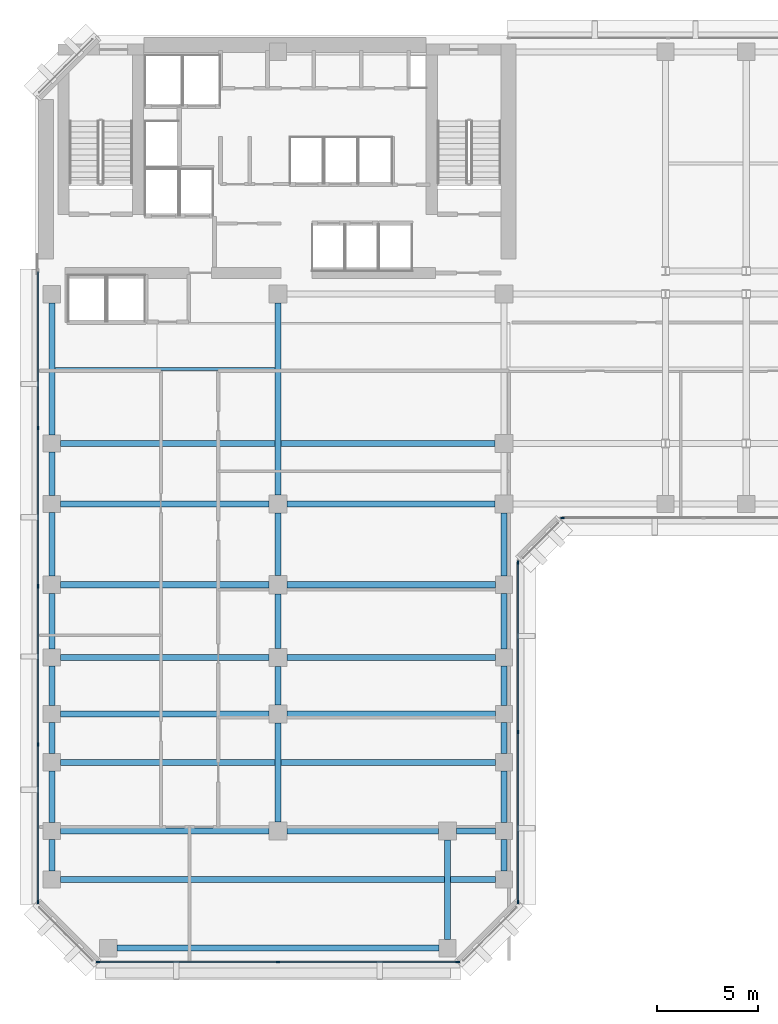
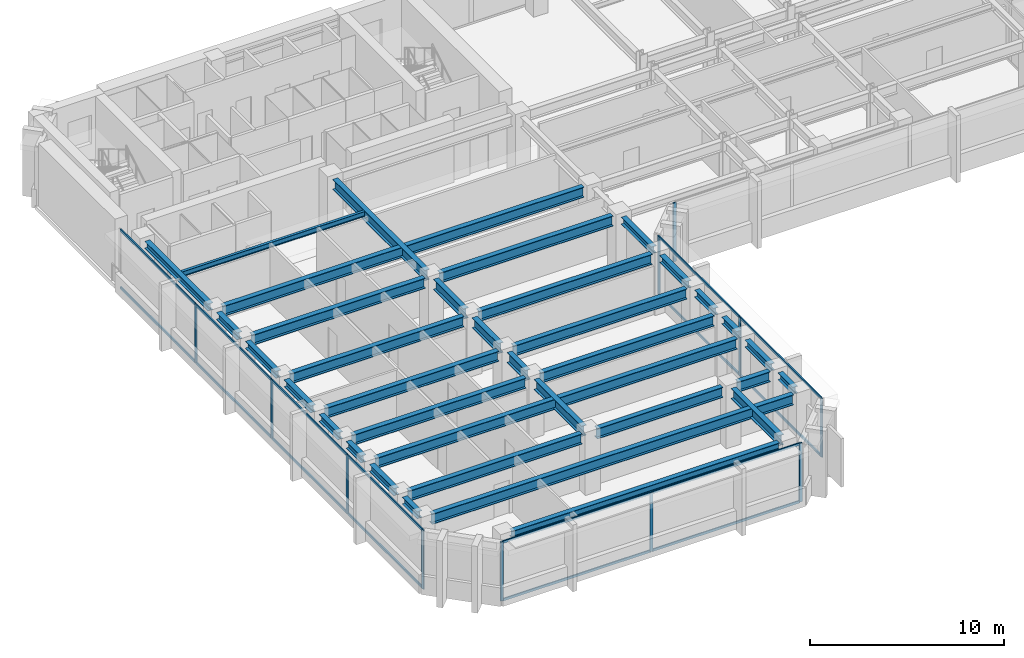
# One storey, part 2 of 11: 36 beams, 27 members, 4 elements without a shape of their own.
"""IFC4 building model written with IfcOpenShell, lengths in metres."""

from ifc_helpers import new_model, si_unit, direction, frame, origin, origin_2d, place, context, subcontext, project, spatial, rectangle, i_section, extrude, material, layer, layer_set, material_profile, profile_set, type_object, element, aggregate, save


model = new_model("IFC4")

# Units and contexts
model_context = context("Model", 3, precision=1e-05, world=origin(), true_north=direction((0.0, 1.0)))
body_context = subcontext(model_context, "Body", "Model", "MODEL_VIEW")
ifc_project = project(units=[si_unit("LENGTHUNIT", "METRE"), si_unit("AREAUNIT", "SQUARE_METRE"), si_unit("VOLUMEUNIT", "CUBIC_METRE"), si_unit("PLANEANGLEUNIT", "RADIAN"), si_unit("MASSUNIT", "GRAM", prefix="KILO")], contexts=[model_context])

# Site, building, storey
site_placement = place(None, origin())
site = spatial("IfcSite", under=ifc_project, at=site_placement, CompositionType="ELEMENT")
building_placement = place(site_placement, origin())
building = spatial("IfcBuilding", under=site, at=building_placement, Name="Kefirva Bronze Tower", CompositionType="ELEMENT")
storey_placement = place(building_placement, frame((0.0, 0.0, 150.81005859375)))
storey = spatial("IfcBuildingStorey", under=building, at=storey_placement, Name="L36", CompositionType="ELEMENT", Elevation=150.81005859375)

# Curtain wall, members
ifc_material_1 = material(Name="Bronze anodised aluminium", Category="aluminium")
ifc_layer = layer(ifc_material_1, 0.199951171875, Name="Bronze anodised aluminium")
ifc_layer_set = layer_set([ifc_layer], Name="Bronze anodised aluminium")
curtain_wall_type = type_object("IfcCurtainWallType", Name="Unitised Bronze Ribbon Curtain Wall Zone 2", PredefinedType="USERDEFINED", material=ifc_layer_set)
curtain_wall_1_placement = place(storey_placement, origin())
curtain_wall_1 = element("IfcCurtainWall", 1, at=curtain_wall_1_placement, inside=storey, type_object=curtain_wall_type, Name="L36 Curtain Wall 1", ObjectType="UNITISED CURTAIN WALL", PredefinedType="USERDEFINED")
ifc_material_profile_1 = material_profile(ifc_material_1, rectangle(XDim=0.074951171875, YDim=0.179931640625, at=origin_2d()), Name="ALU 75x180")
ifc_profile_set_1 = profile_set([ifc_material_profile_1], Name="Bronze anodised aluminium")
member_type_1 = type_object("IfcMemberType", Name="Bronze Mullion 75x180", PredefinedType="MULLION", material=ifc_profile_set_1)
member_1_placement = place(storey_placement, frame((3.092529296875, 0.1201171875, 0.0), z_axis=(0.0, 0.0, 1.0), x_axis=(0.0, 1.0, 0.0)))
member_1 = element("IfcMember", 2, at=member_1_placement, type_object=member_type_1, Name="CW-02 mullion 1", PredefinedType="MULLION", context=body_context, shape_type="SweptSolid", body=[
    extrude(rectangle(XDim=0.074951171875, YDim=0.179931640625, at=origin_2d()), origin(), (0.0, 0.0, 1.0), 3.7099609375),
])
member_2_placement = place(storey_placement, frame((12.0, 0.1201171875, 0.0), z_axis=(0.0, 0.0, 1.0), x_axis=(0.0, 1.0, 0.0)))
member_2 = element("IfcMember", 3, at=member_2_placement, type_object=member_type_1, Name="CW-02 mullion 2", PredefinedType="MULLION", context=body_context, shape_type="SweptSolid", body=[
    extrude(rectangle(XDim=0.074951171875, YDim=0.179931640625, at=origin_2d()), origin(), (0.0, 0.0, 1.0), 3.7099609375),
])
member_3_placement = place(storey_placement, frame((20.907470703125, 0.1201171875, 0.0), z_axis=(0.0, 0.0, 1.0), x_axis=(0.0, 1.0, 0.0)))
member_3 = element("IfcMember", 4, at=member_3_placement, type_object=member_type_1, Name="CW-02 mullion 3", PredefinedType="MULLION", context=body_context, shape_type="SweptSolid", body=[
    extrude(rectangle(XDim=0.074951171875, YDim=0.179931640625, at=origin_2d()), origin(), (0.0, 0.0, 1.0), 3.7099609375),
])

curtain_wall_2_placement = place(storey_placement, origin())
curtain_wall_2 = element("IfcCurtainWall", 5, at=curtain_wall_2_placement, inside=storey, type_object=curtain_wall_type, Name="L36 Curtain Wall 2", ObjectType="UNITISED CURTAIN WALL", PredefinedType="USERDEFINED")
member_4_placement = place(storey_placement, frame((23.8798828125, 3.092529296875, 0.0), z_axis=(0.0, 0.0, 1.0), x_axis=(-1.0, 0.0, 0.0)))
member_4 = element("IfcMember", 6, at=member_4_placement, type_object=member_type_1, Name="CW-02 mullion 1", PredefinedType="MULLION", context=body_context, shape_type="SweptSolid", body=[
    extrude(rectangle(XDim=0.074951171875, YDim=0.179931640625, at=origin_2d()), origin(), (0.0, 0.0, 1.0), 3.7099609375),
])
member_5_placement = place(storey_placement, frame((23.8798828125, 11.5, 0.0), z_axis=(0.0, 0.0, 1.0), x_axis=(-1.0, 0.0, 0.0)))
member_5 = element("IfcMember", 7, at=member_5_placement, type_object=member_type_1, Name="CW-02 mullion 2", PredefinedType="MULLION", context=body_context, shape_type="SweptSolid", body=[
    extrude(rectangle(XDim=0.074951171875, YDim=0.179931640625, at=origin_2d()), origin(), (0.0, 0.0, 1.0), 3.7099609375),
])
member_6_placement = place(storey_placement, frame((23.8798828125, 19.907470703125, 0.0), z_axis=(0.0, 0.0, 1.0), x_axis=(-1.0, 0.0, 0.0)))
member_6 = element("IfcMember", 8, at=member_6_placement, type_object=member_type_1, Name="CW-02 mullion 3", PredefinedType="MULLION", context=body_context, shape_type="SweptSolid", body=[
    extrude(rectangle(XDim=0.074951171875, YDim=0.179931640625, at=origin_2d()), origin(), (0.0, 0.0, 1.0), 3.7099609375),
])

# Curtain wall, member
curtain_wall_3_placement = place(storey_placement, origin())
curtain_wall_3 = element("IfcCurtainWall", 9, at=curtain_wall_3_placement, inside=storey, type_object=curtain_wall_type, Name="L36 Curtain Wall 3", ObjectType="UNITISED CURTAIN WALL", PredefinedType="USERDEFINED")
member_7_placement = place(storey_placement, frame((26.092529296875, 22.1201171875, 0.0), z_axis=(0.0, 0.0, 1.0), x_axis=(0.0, 1.0, 0.0)))
member_7 = element("IfcMember", 10, at=member_7_placement, type_object=member_type_1, Name="CW-02 mullion 1", PredefinedType="MULLION", context=body_context, shape_type="SweptSolid", body=[
    extrude(rectangle(XDim=0.074951171875, YDim=0.179931640625, at=origin_2d()), origin(), (0.0, 0.0, 1.0), 3.7099609375),
])
aggregate(curtain_wall_3, [member_7])

# Curtain wall, members
curtain_wall_4_placement = place(storey_placement, origin())
curtain_wall_4 = element("IfcCurtainWall", 11, at=curtain_wall_4_placement, inside=storey, type_object=curtain_wall_type, Name="L36 Curtain Wall 6", ObjectType="UNITISED CURTAIN WALL", PredefinedType="USERDEFINED")
member_8_placement = place(storey_placement, frame((0.1201171875, 26.56005859375, 0.0), z_axis=(0.0, 0.0, 1.0), x_axis=(1.0, 0.0, 0.0)))
member_8 = element("IfcMember", 12, at=member_8_placement, type_object=member_type_1, Name="CW-02 mullion 2", PredefinedType="MULLION", context=body_context, shape_type="SweptSolid", body=[
    extrude(rectangle(XDim=0.074951171875, YDim=0.179931640625, at=origin_2d()), origin(), (0.0, 0.0, 1.0), 3.7099609375),
])
member_9_placement = place(storey_placement, frame((0.1201171875, 18.72509765625, 0.0), z_axis=(0.0, 0.0, 1.0), x_axis=(1.0, 0.0, 0.0)))
member_9 = element("IfcMember", 13, at=member_9_placement, type_object=member_type_1, Name="CW-02 mullion 3", PredefinedType="MULLION", context=body_context, shape_type="SweptSolid", body=[
    extrude(rectangle(XDim=0.074951171875, YDim=0.179931640625, at=origin_2d()), origin(), (0.0, 0.0, 1.0), 3.7099609375),
])
member_10_placement = place(storey_placement, frame((0.1201171875, 10.889892578125, 0.0), z_axis=(0.0, 0.0, 1.0), x_axis=(1.0, 0.0, 0.0)))
member_10 = element("IfcMember", 14, at=member_10_placement, type_object=member_type_1, Name="CW-02 mullion 4", PredefinedType="MULLION", context=body_context, shape_type="SweptSolid", body=[
    extrude(rectangle(XDim=0.074951171875, YDim=0.179931640625, at=origin_2d()), origin(), (0.0, 0.0, 1.0), 3.7099609375),
])
member_11_placement = place(storey_placement, frame((0.1201171875, 3.092529296875, 0.0), z_axis=(0.0, 0.0, 1.0), x_axis=(1.0, 0.0, 0.0)))
member_11 = element("IfcMember", 15, at=member_11_placement, type_object=member_type_1, Name="CW-02 mullion 5", PredefinedType="MULLION", context=body_context, shape_type="SweptSolid", body=[
    extrude(rectangle(XDim=0.074951171875, YDim=0.179931640625, at=origin_2d()), origin(), (0.0, 0.0, 1.0), 3.7099609375),
])

# Member
ifc_material_profile_2 = material_profile(ifc_material_1, rectangle(XDim=0.074951171875, YDim=0.14990234375, at=origin_2d()), Name="ALU 75x150")
ifc_profile_set_2 = profile_set([ifc_material_profile_2], Name="Bronze anodised aluminium")
member_type_2 = type_object("IfcMemberType", Name="Bronze Transom 75x150", PredefinedType="USERDEFINED", material=ifc_profile_set_2)
member_12_placement = place(storey_placement, frame((3.1298828125, 0.1201171875, 0.037353515625), z_axis=(1.0, 0.0, 0.0), x_axis=(0.0, 1.0, 0.0)))
member_12 = element("IfcMember", 16, at=member_12_placement, type_object=member_type_2, Name="CW-02 transom 1.1", ObjectType="TRANSOM", PredefinedType="USERDEFINED", context=body_context, shape_type="SweptSolid", body=[
    extrude(rectangle(XDim=0.074951171875, YDim=0.14990234375, at=origin_2d()), origin(), (0.0, 0.0, 1.0), 8.83251953125),
])

member_13_placement = place(storey_placement, frame((3.1298828125, 0.1201171875, 3.67236328125), z_axis=(1.0, 0.0, 0.0), x_axis=(0.0, 1.0, 0.0)))
member_13 = element("IfcMember", 17, at=member_13_placement, type_object=member_type_2, Name="CW-02 transom 1.2", ObjectType="TRANSOM", PredefinedType="USERDEFINED", context=body_context, shape_type="SweptSolid", body=[
    extrude(rectangle(XDim=0.074951171875, YDim=0.14990234375, at=origin_2d()), origin(), (0.0, 0.0, 1.0), 8.83251953125),
])

member_14_placement = place(storey_placement, frame((12.03759765625, 0.1201171875, 0.037353515625), z_axis=(1.0, 0.0, 0.0), x_axis=(0.0, 1.0, 0.0)))
member_14 = element("IfcMember", 18, at=member_14_placement, type_object=member_type_2, Name="CW-02 transom 2.1", ObjectType="TRANSOM", PredefinedType="USERDEFINED", context=body_context, shape_type="SweptSolid", body=[
    extrude(rectangle(XDim=0.074951171875, YDim=0.14990234375, at=origin_2d()), origin(), (0.0, 0.0, 1.0), 8.83251953125),
])

member_15_placement = place(storey_placement, frame((12.03759765625, 0.1201171875, 3.67236328125), z_axis=(1.0, 0.0, 0.0), x_axis=(0.0, 1.0, 0.0)))
member_15 = element("IfcMember", 19, at=member_15_placement, type_object=member_type_2, Name="CW-02 transom 2.2", ObjectType="TRANSOM", PredefinedType="USERDEFINED", context=body_context, shape_type="SweptSolid", body=[
    extrude(rectangle(XDim=0.074951171875, YDim=0.14990234375, at=origin_2d()), origin(), (0.0, 0.0, 1.0), 8.83251953125),
])

aggregate(curtain_wall_1, [member_1, member_2, member_3, member_12, member_13, member_14, member_15])

member_16_placement = place(storey_placement, frame((23.8798828125, 3.1298828125, 0.037353515625), z_axis=(0.0, 1.0, 0.0), x_axis=(-1.0, 0.0, 0.0)))
member_16 = element("IfcMember", 20, at=member_16_placement, type_object=member_type_2, Name="CW-02 transom 1.1", ObjectType="TRANSOM", PredefinedType="USERDEFINED", context=body_context, shape_type="SweptSolid", body=[
    extrude(rectangle(XDim=0.074951171875, YDim=0.14990234375, at=origin_2d()), origin(), (0.0, 0.0, 1.0), 8.33251953125),
])

member_17_placement = place(storey_placement, frame((23.8798828125, 3.1298828125, 3.67236328125), z_axis=(0.0, 1.0, 0.0), x_axis=(-1.0, 0.0, 0.0)))
member_17 = element("IfcMember", 21, at=member_17_placement, type_object=member_type_2, Name="CW-02 transom 1.2", ObjectType="TRANSOM", PredefinedType="USERDEFINED", context=body_context, shape_type="SweptSolid", body=[
    extrude(rectangle(XDim=0.074951171875, YDim=0.14990234375, at=origin_2d()), origin(), (0.0, 0.0, 1.0), 8.33251953125),
])

member_18_placement = place(storey_placement, frame((23.8798828125, 11.53759765625, 0.037353515625), z_axis=(0.0, 1.0, 0.0), x_axis=(-1.0, 0.0, 0.0)))
member_18 = element("IfcMember", 22, at=member_18_placement, type_object=member_type_2, Name="CW-02 transom 2.1", ObjectType="TRANSOM", PredefinedType="USERDEFINED", context=body_context, shape_type="SweptSolid", body=[
    extrude(rectangle(XDim=0.074951171875, YDim=0.14990234375, at=origin_2d()), origin(), (0.0, 0.0, 1.0), 8.33251953125),
])

member_19_placement = place(storey_placement, frame((23.8798828125, 11.53759765625, 3.67236328125), z_axis=(0.0, 1.0, 0.0), x_axis=(-1.0, 0.0, 0.0)))
member_19 = element("IfcMember", 23, at=member_19_placement, type_object=member_type_2, Name="CW-02 transom 2.2", ObjectType="TRANSOM", PredefinedType="USERDEFINED", context=body_context, shape_type="SweptSolid", body=[
    extrude(rectangle(XDim=0.074951171875, YDim=0.14990234375, at=origin_2d()), origin(), (0.0, 0.0, 1.0), 8.33251953125),
])

aggregate(curtain_wall_2, [member_4, member_5, member_6, member_16, member_17, member_18, member_19])

member_20_placement = place(storey_placement, frame((0.1201171875, 34.320068359375, 0.037353515625), z_axis=(0.0, -1.0, 0.0), x_axis=(1.0, 0.0, 0.0)))
member_20 = element("IfcMember", 24, at=member_20_placement, type_object=member_type_2, Name="CW-02 transom 1.1", ObjectType="TRANSOM", PredefinedType="USERDEFINED", context=body_context, shape_type="SweptSolid", body=[
    extrude(rectangle(XDim=0.074951171875, YDim=0.14990234375, at=origin_2d()), origin(), (0.0, 0.0, 1.0), 7.72265625),
])

member_21_placement = place(storey_placement, frame((0.1201171875, 34.320068359375, 3.67236328125), z_axis=(0.0, -1.0, 0.0), x_axis=(1.0, 0.0, 0.0)))
member_21 = element("IfcMember", 25, at=member_21_placement, type_object=member_type_2, Name="CW-02 transom 1.2", ObjectType="TRANSOM", PredefinedType="USERDEFINED", context=body_context, shape_type="SweptSolid", body=[
    extrude(rectangle(XDim=0.074951171875, YDim=0.14990234375, at=origin_2d()), origin(), (0.0, 0.0, 1.0), 7.72265625),
])

member_22_placement = place(storey_placement, frame((0.1201171875, 26.5224609375, 0.037353515625), z_axis=(0.0, -1.0, 0.0), x_axis=(1.0, 0.0, 0.0)))
member_22 = element("IfcMember", 26, at=member_22_placement, type_object=member_type_2, Name="CW-02 transom 2.1", ObjectType="TRANSOM", PredefinedType="USERDEFINED", context=body_context, shape_type="SweptSolid", body=[
    extrude(rectangle(XDim=0.074951171875, YDim=0.14990234375, at=origin_2d()), origin(), (0.0, 0.0, 1.0), 7.760009765625),
])

member_23_placement = place(storey_placement, frame((0.1201171875, 26.5224609375, 3.67236328125), z_axis=(0.0, -1.0, 0.0), x_axis=(1.0, 0.0, 0.0)))
member_23 = element("IfcMember", 27, at=member_23_placement, type_object=member_type_2, Name="CW-02 transom 2.2", ObjectType="TRANSOM", PredefinedType="USERDEFINED", context=body_context, shape_type="SweptSolid", body=[
    extrude(rectangle(XDim=0.074951171875, YDim=0.14990234375, at=origin_2d()), origin(), (0.0, 0.0, 1.0), 7.760009765625),
])

member_24_placement = place(storey_placement, frame((0.1201171875, 18.6875, 0.037353515625), z_axis=(0.0, -1.0, 0.0), x_axis=(1.0, 0.0, 0.0)))
member_24 = element("IfcMember", 28, at=member_24_placement, type_object=member_type_2, Name="CW-02 transom 3.1", ObjectType="TRANSOM", PredefinedType="USERDEFINED", context=body_context, shape_type="SweptSolid", body=[
    extrude(rectangle(XDim=0.074951171875, YDim=0.14990234375, at=origin_2d()), origin(), (0.0, 0.0, 1.0), 7.760009765625),
])

member_25_placement = place(storey_placement, frame((0.1201171875, 18.6875, 3.67236328125), z_axis=(0.0, -1.0, 0.0), x_axis=(1.0, 0.0, 0.0)))
member_25 = element("IfcMember", 29, at=member_25_placement, type_object=member_type_2, Name="CW-02 transom 3.2", ObjectType="TRANSOM", PredefinedType="USERDEFINED", context=body_context, shape_type="SweptSolid", body=[
    extrude(rectangle(XDim=0.074951171875, YDim=0.14990234375, at=origin_2d()), origin(), (0.0, 0.0, 1.0), 7.760009765625),
])

member_26_placement = place(storey_placement, frame((0.1201171875, 10.8525390625, 0.037353515625), z_axis=(0.0, -1.0, 0.0), x_axis=(1.0, 0.0, 0.0)))
member_26 = element("IfcMember", 30, at=member_26_placement, type_object=member_type_2, Name="CW-02 transom 4.1", ObjectType="TRANSOM", PredefinedType="USERDEFINED", context=body_context, shape_type="SweptSolid", body=[
    extrude(rectangle(XDim=0.074951171875, YDim=0.14990234375, at=origin_2d()), origin(), (0.0, 0.0, 1.0), 7.72265625),
])

member_27_placement = place(storey_placement, frame((0.1201171875, 10.8525390625, 3.67236328125), z_axis=(0.0, -1.0, 0.0), x_axis=(1.0, 0.0, 0.0)))
member_27 = element("IfcMember", 31, at=member_27_placement, type_object=member_type_2, Name="CW-02 transom 4.2", ObjectType="TRANSOM", PredefinedType="USERDEFINED", context=body_context, shape_type="SweptSolid", body=[
    extrude(rectangle(XDim=0.074951171875, YDim=0.14990234375, at=origin_2d()), origin(), (0.0, 0.0, 1.0), 7.72265625),
])

aggregate(curtain_wall_4, [member_8, member_9, member_10, member_11, member_20, member_21, member_22, member_23, member_24, member_25, member_26, member_27])

# Beams
ifc_material_2 = material(Name="Steel S355", Category="steel")
ifc_material_profile_3 = material_profile(ifc_material_2, i_section(OverallWidth=0.159912109375, OverallDepth=0.330078125, WebThickness=0.007568359375, FlangeThickness=0.011474609375, at=origin_2d()), Name="IPE 330")
ifc_profile_set_3 = profile_set([ifc_material_profile_3], Name="Steel S355")
beam_type_1 = type_object("IfcBeamType", Name="Steel Floor Joist IPE 330", PredefinedType="JOIST", material=ifc_profile_set_3)
beam_1_placement = place(storey_placement, frame((0.949951171875, 29.489990234375, 3.544921875), z_axis=(1.0, 0.0, 0.0), x_axis=(0.0, 1.0, 0.0)))
element("IfcBeam", 32, at=beam_1_placement, inside=storey, type_object=beam_type_1, Name="L36 JST-L36-0-294", PredefinedType="JOIST", context=body_context, shape_type="SweptSolid", body=[
    extrude(i_section(OverallWidth=0.159912109375, OverallDepth=0.330078125, WebThickness=0.007568359375, FlangeThickness=0.011474609375, at=origin_2d()), origin(), (0.0, 0.0, 1.0), 10.900146484375),
])
ifc_material_profile_4 = material_profile(ifc_material_2, i_section(OverallWidth=0.300048828125, OverallDepth=0.64990234375, WebThickness=0.01611328125, FlangeThickness=0.031005859375, at=origin_2d()), Name="HEB 650")
ifc_profile_set_4 = profile_set([ifc_material_profile_4], Name="Steel S355")
beam_type_2 = type_object("IfcBeamType", Name="Steel Girder HEB 650", PredefinedType="USERDEFINED", material=ifc_profile_set_4)
beam_2_placement = place(storey_placement, frame((1.22998046875, 4.199951171875, 3.385009765625), z_axis=(1.0, 0.0, 0.0), x_axis=(0.0, 1.0, 0.0)))
element("IfcBeam", 33, at=beam_2_placement, inside=storey, type_object=beam_type_2, Name="L36 BM-L36-EW-0-42", ObjectType="GIRDER", PredefinedType="USERDEFINED", context=body_context, shape_type="SweptSolid", body=[
    extrude(i_section(OverallWidth=0.300048828125, OverallDepth=0.64990234375, WebThickness=0.01611328125, FlangeThickness=0.031005859375, at=origin_2d()), origin(), (0.0, 0.0, 1.0), 21.5400390625),
])
beam_3_placement = place(storey_placement, frame((1.22998046875, 6.60009765625, 3.385009765625), z_axis=(1.0, 0.0, 0.0), x_axis=(0.0, 1.0, 0.0)))
element("IfcBeam", 34, at=beam_3_placement, inside=storey, type_object=beam_type_2, Name="L36 BM-L36-EW-0-66", ObjectType="GIRDER", PredefinedType="USERDEFINED", context=body_context, shape_type="SweptSolid", body=[
    extrude(i_section(OverallWidth=0.300048828125, OverallDepth=0.64990234375, WebThickness=0.01611328125, FlangeThickness=0.031005859375, at=origin_2d()), origin(), (0.0, 0.0, 1.0), 10.320068359375),
])
beam_4_placement = place(storey_placement, frame((12.449951171875, 6.60009765625, 3.385009765625), z_axis=(1.0, 0.0, 0.0), x_axis=(0.0, 1.0, 0.0)))
element("IfcBeam", 35, at=beam_4_placement, inside=storey, type_object=beam_type_2, Name="L36 BM-L36-EW-12-66", ObjectType="GIRDER", PredefinedType="USERDEFINED", context=body_context, shape_type="SweptSolid", body=[
    extrude(i_section(OverallWidth=0.300048828125, OverallDepth=0.64990234375, WebThickness=0.01611328125, FlangeThickness=0.031005859375, at=origin_2d()), origin(), (0.0, 0.0, 1.0), 7.5),
])
beam_5_placement = place(storey_placement, frame((20.85009765625, 6.60009765625, 3.385009765625), z_axis=(1.0, 0.0, 0.0), x_axis=(0.0, 1.0, 0.0)))
element("IfcBeam", 36, at=beam_5_placement, inside=storey, type_object=beam_type_2, Name="L36 BM-L36-EW-20-66", ObjectType="GIRDER", PredefinedType="USERDEFINED", context=body_context, shape_type="SweptSolid", body=[
    extrude(i_section(OverallWidth=0.300048828125, OverallDepth=0.64990234375, WebThickness=0.01611328125, FlangeThickness=0.031005859375, at=origin_2d()), origin(), (0.0, 0.0, 1.0), 1.919921875),
])
beam_6_placement = place(storey_placement, frame((1.22998046875, 10.0, 3.385009765625), z_axis=(1.0, 0.0, 0.0), x_axis=(0.0, 1.0, 0.0)))
element("IfcBeam", 37, at=beam_6_placement, inside=storey, type_object=beam_type_2, Name="L36 BM-L36-EW-0-100", ObjectType="GIRDER", PredefinedType="USERDEFINED", context=body_context, shape_type="SweptSolid", body=[
    extrude(i_section(OverallWidth=0.300048828125, OverallDepth=0.64990234375, WebThickness=0.01611328125, FlangeThickness=0.031005859375, at=origin_2d()), origin(), (0.0, 0.0, 1.0), 21.5400390625),
])
for number, where, z_axis, x_axis, name in (
    (38, (1.22998046875, 12.39990234375, 3.385009765625), (1.0, 0.0, 0.0), (0.0, 1.0, 0.0), "L36 BM-L36-EW-0-124"),
    (39, (12.449951171875, 12.39990234375, 3.385009765625), (1.0, 0.0, 0.0), (0.0, 1.0, 0.0), "L36 BM-L36-EW-12-124"),
    (40, (1.22998046875, 15.199951171875, 3.385009765625), (1.0, 0.0, 0.0), (0.0, 1.0, 0.0), "L36 BM-L36-EW-0-152"),
    (41, (12.449951171875, 15.199951171875, 3.385009765625), (1.0, 0.0, 0.0), (0.0, 1.0, 0.0), "L36 BM-L36-EW-12-152"),
    (42, (1.22998046875, 18.800048828125, 3.385009765625), (1.0, 0.0, 0.0), (0.0, 1.0, 0.0), "L36 BM-L36-EW-0-188"),
    (43, (12.449951171875, 18.800048828125, 3.385009765625), (1.0, 0.0, 0.0), (0.0, 1.0, 0.0), "L36 BM-L36-EW-12-188"),
    (44, (1.22998046875, 22.800048828125, 3.385009765625), (1.0, 0.0, 0.0), (0.0, 1.0, 0.0), "L36 BM-L36-EW-0-228"),
):
    element("IfcBeam", number, at=place(storey_placement, frame(where, z_axis=z_axis, x_axis=x_axis)), inside=storey, type_object=beam_type_2, Name=name, ObjectType="GIRDER", PredefinedType="USERDEFINED", context=body_context, shape_type="SweptSolid", body=[
        extrude(i_section(OverallWidth=0.300048828125, OverallDepth=0.64990234375, WebThickness=0.01611328125, FlangeThickness=0.031005859375, at=origin_2d()), origin(), (0.0, 0.0, 1.0), 10.320068359375),
    ])
beam_7_placement = place(storey_placement, frame((12.449951171875, 22.800048828125, 3.385009765625), z_axis=(1.0, 0.0, 0.0), x_axis=(0.0, 1.0, 0.0)))
element("IfcBeam", 45, at=beam_7_placement, inside=storey, type_object=beam_type_2, Name="L36 BM-L36-EW-12-228", ObjectType="GIRDER", PredefinedType="USERDEFINED", context=body_context, shape_type="SweptSolid", body=[
    extrude(i_section(OverallWidth=0.300048828125, OverallDepth=0.64990234375, WebThickness=0.01611328125, FlangeThickness=0.031005859375, at=origin_2d()), origin(), (0.0, 0.0, 1.0), 10.300048828125),
])
beam_8_placement = place(storey_placement, frame((1.22998046875, 25.800048828125, 3.385009765625), z_axis=(1.0, 0.0, 0.0), x_axis=(0.0, 1.0, 0.0)))
element("IfcBeam", 46, at=beam_8_placement, inside=storey, type_object=beam_type_2, Name="L36 BM-L36-EW-0-258", ObjectType="GIRDER", PredefinedType="USERDEFINED", context=body_context, shape_type="SweptSolid", body=[
    extrude(i_section(OverallWidth=0.300048828125, OverallDepth=0.64990234375, WebThickness=0.01611328125, FlangeThickness=0.031005859375, at=origin_2d()), origin(), (0.0, 0.0, 1.0), 21.52001953125),
])
beam_9_placement = place(storey_placement, frame((12.0, 7.050048828125, 3.385009765625), z_axis=(0.0, 1.0, 0.0), x_axis=(-1.0, 0.0, 0.0)))
element("IfcBeam", 47, at=beam_9_placement, inside=storey, type_object=beam_type_2, Name="L36 BM-L36-NS-120-6", ObjectType="GIRDER", PredefinedType="USERDEFINED", context=body_context, shape_type="SweptSolid", body=[
    extrude(i_section(OverallWidth=0.300048828125, OverallDepth=0.64990234375, WebThickness=0.01611328125, FlangeThickness=0.031005859375, at=origin_2d()), origin(), (0.0, 0.0, 1.0), 4.89990234375),
])
beam_10_placement = place(storey_placement, frame((12.0, 12.85009765625, 3.385009765625), z_axis=(0.0, 1.0, 0.0), x_axis=(-1.0, 0.0, 0.0)))
element("IfcBeam", 48, at=beam_10_placement, inside=storey, type_object=beam_type_2, Name="L36 BM-L36-NS-120-12", ObjectType="GIRDER", PredefinedType="USERDEFINED", context=body_context, shape_type="SweptSolid", body=[
    extrude(i_section(OverallWidth=0.300048828125, OverallDepth=0.64990234375, WebThickness=0.01611328125, FlangeThickness=0.031005859375, at=origin_2d()), origin(), (0.0, 0.0, 1.0), 1.89990234375),
])
beam_11_placement = place(storey_placement, frame((12.0, 15.64990234375, 3.385009765625), z_axis=(0.0, 1.0, 0.0), x_axis=(-1.0, 0.0, 0.0)))
element("IfcBeam", 49, at=beam_11_placement, inside=storey, type_object=beam_type_2, Name="L36 BM-L36-NS-120-15", ObjectType="GIRDER", PredefinedType="USERDEFINED", context=body_context, shape_type="SweptSolid", body=[
    extrude(i_section(OverallWidth=0.300048828125, OverallDepth=0.64990234375, WebThickness=0.01611328125, FlangeThickness=0.031005859375, at=origin_2d()), origin(), (0.0, 0.0, 1.0), 2.7001953125),
])
beam_12_placement = place(storey_placement, frame((12.0, 19.25, 3.385009765625), z_axis=(0.0, 1.0, 0.0), x_axis=(-1.0, 0.0, 0.0)))
element("IfcBeam", 50, at=beam_12_placement, inside=storey, type_object=beam_type_2, Name="L36 BM-L36-NS-120-18", ObjectType="GIRDER", PredefinedType="USERDEFINED", context=body_context, shape_type="SweptSolid", body=[
    extrude(i_section(OverallWidth=0.300048828125, OverallDepth=0.64990234375, WebThickness=0.01611328125, FlangeThickness=0.031005859375, at=origin_2d()), origin(), (0.0, 0.0, 1.0), 3.10009765625),
])
beam_13_placement = place(storey_placement, frame((12.0, 23.25, 3.385009765625), z_axis=(0.0, 1.0, 0.0), x_axis=(-1.0, 0.0, 0.0)))
element("IfcBeam", 51, at=beam_13_placement, inside=storey, type_object=beam_type_2, Name="L36 BM-L36-NS-120-22", ObjectType="GIRDER", PredefinedType="USERDEFINED", context=body_context, shape_type="SweptSolid", body=[
    extrude(i_section(OverallWidth=0.300048828125, OverallDepth=0.64990234375, WebThickness=0.01611328125, FlangeThickness=0.031005859375, at=origin_2d()), origin(), (0.0, 0.0, 1.0), 9.5),
])
beam_14_placement = place(storey_placement, frame((20.39990234375, 1.22998046875, 3.385009765625), z_axis=(0.0, 1.0, 0.0), x_axis=(-1.0, 0.0, 0.0)))
element("IfcBeam", 52, at=beam_14_placement, inside=storey, type_object=beam_type_2, Name="L36 BM-L36-NS-204-0", ObjectType="GIRDER", PredefinedType="USERDEFINED", context=body_context, shape_type="SweptSolid", body=[
    extrude(i_section(OverallWidth=0.300048828125, OverallDepth=0.64990234375, WebThickness=0.01611328125, FlangeThickness=0.031005859375, at=origin_2d()), origin(), (0.0, 0.0, 1.0), 4.919921875),
])
ifc_material_profile_5 = material_profile(ifc_material_2, i_section(OverallWidth=0.300048828125, OverallDepth=0.449951171875, WebThickness=0.013916015625, FlangeThickness=0.02587890625, at=origin_2d()), Name="HEB 450")
ifc_profile_set_5 = profile_set([ifc_material_profile_5], Name="Steel S355")
beam_type_3 = type_object("IfcBeamType", Name="Steel Spandrel HEB 450 Ext", PredefinedType="SPANDREL", material=ifc_profile_set_5)
beam_15_placement = place(storey_placement, frame((4.030029296875, 0.800048828125, 3.48486328125), z_axis=(1.0, 0.0, 0.0), x_axis=(0.0, 1.0, 0.0)))
element("IfcBeam", 53, at=beam_15_placement, inside=storey, type_object=beam_type_3, Name="L36 BM-L36-EW-3-8", PredefinedType="SPANDREL", context=body_context, shape_type="SweptSolid", body=[
    extrude(i_section(OverallWidth=0.300048828125, OverallDepth=0.449951171875, WebThickness=0.013916015625, FlangeThickness=0.02587890625, at=origin_2d()), origin(), (0.0, 0.0, 1.0), 15.93994140625),
])
beam_16_placement = place(storey_placement, frame((0.800048828125, 4.6298828125, 3.48486328125), z_axis=(0.0, 1.0, 0.0), x_axis=(-1.0, 0.0, 0.0)))
element("IfcBeam", 54, at=beam_16_placement, inside=storey, type_object=beam_type_3, Name="L36 BM-L36-NS-8-4", PredefinedType="SPANDREL", context=body_context, shape_type="SweptSolid", body=[
    extrude(i_section(OverallWidth=0.300048828125, OverallDepth=0.449951171875, WebThickness=0.013916015625, FlangeThickness=0.02587890625, at=origin_2d()), origin(), (0.0, 0.0, 1.0), 1.5400390625),
])
beam_17_placement = place(storey_placement, frame((0.800048828125, 7.030029296875, 3.48486328125), z_axis=(0.0, 1.0, 0.0), x_axis=(-1.0, 0.0, 0.0)))
element("IfcBeam", 55, at=beam_17_placement, inside=storey, type_object=beam_type_3, Name="L36 BM-L36-NS-8-6", PredefinedType="SPANDREL", context=body_context, shape_type="SweptSolid", body=[
    extrude(i_section(OverallWidth=0.300048828125, OverallDepth=0.449951171875, WebThickness=0.013916015625, FlangeThickness=0.02587890625, at=origin_2d()), origin(), (0.0, 0.0, 1.0), 2.5400390625),
])
beam_18_placement = place(storey_placement, frame((0.800048828125, 10.429931640625, 3.48486328125), z_axis=(0.0, 1.0, 0.0), x_axis=(-1.0, 0.0, 0.0)))
element("IfcBeam", 56, at=beam_18_placement, inside=storey, type_object=beam_type_3, Name="L36 BM-L36-NS-8-10", PredefinedType="SPANDREL", context=body_context, shape_type="SweptSolid", body=[
    extrude(i_section(OverallWidth=0.300048828125, OverallDepth=0.449951171875, WebThickness=0.013916015625, FlangeThickness=0.02587890625, at=origin_2d()), origin(), (0.0, 0.0, 1.0), 1.5400390625),
])
beam_19_placement = place(storey_placement, frame((0.800048828125, 12.830078125, 3.48486328125), z_axis=(0.0, 1.0, 0.0), x_axis=(-1.0, 0.0, 0.0)))
element("IfcBeam", 57, at=beam_19_placement, inside=storey, type_object=beam_type_3, Name="L36 BM-L36-NS-8-12", PredefinedType="SPANDREL", context=body_context, shape_type="SweptSolid", body=[
    extrude(i_section(OverallWidth=0.300048828125, OverallDepth=0.449951171875, WebThickness=0.013916015625, FlangeThickness=0.02587890625, at=origin_2d()), origin(), (0.0, 0.0, 1.0), 1.93994140625),
])
beam_20_placement = place(storey_placement, frame((0.800048828125, 15.6298828125, 3.48486328125), z_axis=(0.0, 1.0, 0.0), x_axis=(-1.0, 0.0, 0.0)))
element("IfcBeam", 58, at=beam_20_placement, inside=storey, type_object=beam_type_3, Name="L36 BM-L36-NS-8-15", PredefinedType="SPANDREL", context=body_context, shape_type="SweptSolid", body=[
    extrude(i_section(OverallWidth=0.300048828125, OverallDepth=0.449951171875, WebThickness=0.013916015625, FlangeThickness=0.02587890625, at=origin_2d()), origin(), (0.0, 0.0, 1.0), 2.740234375),
])
beam_21_placement = place(storey_placement, frame((0.800048828125, 19.22998046875, 3.48486328125), z_axis=(0.0, 1.0, 0.0), x_axis=(-1.0, 0.0, 0.0)))
element("IfcBeam", 59, at=beam_21_placement, inside=storey, type_object=beam_type_3, Name="L36 BM-L36-NS-8-18", PredefinedType="SPANDREL", context=body_context, shape_type="SweptSolid", body=[
    extrude(i_section(OverallWidth=0.300048828125, OverallDepth=0.449951171875, WebThickness=0.013916015625, FlangeThickness=0.02587890625, at=origin_2d()), origin(), (0.0, 0.0, 1.0), 3.14013671875),
])
beam_22_placement = place(storey_placement, frame((0.800048828125, 23.22998046875, 3.48486328125), z_axis=(0.0, 1.0, 0.0), x_axis=(-1.0, 0.0, 0.0)))
element("IfcBeam", 60, at=beam_22_placement, inside=storey, type_object=beam_type_3, Name="L36 BM-L36-NS-8-22", PredefinedType="SPANDREL", context=body_context, shape_type="SweptSolid", body=[
    extrude(i_section(OverallWidth=0.300048828125, OverallDepth=0.449951171875, WebThickness=0.013916015625, FlangeThickness=0.02587890625, at=origin_2d()), origin(), (0.0, 0.0, 1.0), 2.14013671875),
])
beam_23_placement = place(storey_placement, frame((0.800048828125, 26.22998046875, 3.48486328125), z_axis=(0.0, 1.0, 0.0), x_axis=(-1.0, 0.0, 0.0)))
element("IfcBeam", 61, at=beam_23_placement, inside=storey, type_object=beam_type_3, Name="L36 BM-L36-NS-8-25", PredefinedType="SPANDREL", context=body_context, shape_type="SweptSolid", body=[
    extrude(i_section(OverallWidth=0.300048828125, OverallDepth=0.449951171875, WebThickness=0.013916015625, FlangeThickness=0.02587890625, at=origin_2d()), origin(), (0.0, 0.0, 1.0), 6.5400390625),
])
beam_24_placement = place(storey_placement, frame((23.199951171875, 4.6298828125, 3.48486328125), z_axis=(0.0, 1.0, 0.0), x_axis=(-1.0, 0.0, 0.0)))
element("IfcBeam", 62, at=beam_24_placement, inside=storey, type_object=beam_type_3, Name="L36 BM-L36-NS-232-4", PredefinedType="SPANDREL", context=body_context, shape_type="SweptSolid", body=[
    extrude(i_section(OverallWidth=0.300048828125, OverallDepth=0.449951171875, WebThickness=0.013916015625, FlangeThickness=0.02587890625, at=origin_2d()), origin(), (0.0, 0.0, 1.0), 1.5400390625),
])
beam_25_placement = place(storey_placement, frame((23.199951171875, 7.030029296875, 3.48486328125), z_axis=(0.0, 1.0, 0.0), x_axis=(-1.0, 0.0, 0.0)))
element("IfcBeam", 63, at=beam_25_placement, inside=storey, type_object=beam_type_3, Name="L36 BM-L36-NS-232-6", PredefinedType="SPANDREL", context=body_context, shape_type="SweptSolid", body=[
    extrude(i_section(OverallWidth=0.300048828125, OverallDepth=0.449951171875, WebThickness=0.013916015625, FlangeThickness=0.02587890625, at=origin_2d()), origin(), (0.0, 0.0, 1.0), 2.5400390625),
])
beam_26_placement = place(storey_placement, frame((23.199951171875, 10.429931640625, 3.48486328125), z_axis=(0.0, 1.0, 0.0), x_axis=(-1.0, 0.0, 0.0)))
element("IfcBeam", 64, at=beam_26_placement, inside=storey, type_object=beam_type_3, Name="L36 BM-L36-NS-232-10", PredefinedType="SPANDREL", context=body_context, shape_type="SweptSolid", body=[
    extrude(i_section(OverallWidth=0.300048828125, OverallDepth=0.449951171875, WebThickness=0.013916015625, FlangeThickness=0.02587890625, at=origin_2d()), origin(), (0.0, 0.0, 1.0), 1.5400390625),
])
beam_27_placement = place(storey_placement, frame((23.199951171875, 12.830078125, 3.48486328125), z_axis=(0.0, 1.0, 0.0), x_axis=(-1.0, 0.0, 0.0)))
element("IfcBeam", 65, at=beam_27_placement, inside=storey, type_object=beam_type_3, Name="L36 BM-L36-NS-232-12", PredefinedType="SPANDREL", context=body_context, shape_type="SweptSolid", body=[
    extrude(i_section(OverallWidth=0.300048828125, OverallDepth=0.449951171875, WebThickness=0.013916015625, FlangeThickness=0.02587890625, at=origin_2d()), origin(), (0.0, 0.0, 1.0), 1.93994140625),
])
beam_28_placement = place(storey_placement, frame((23.199951171875, 15.6298828125, 3.48486328125), z_axis=(0.0, 1.0, 0.0), x_axis=(-1.0, 0.0, 0.0)))
element("IfcBeam", 66, at=beam_28_placement, inside=storey, type_object=beam_type_3, Name="L36 BM-L36-NS-232-15", PredefinedType="SPANDREL", context=body_context, shape_type="SweptSolid", body=[
    extrude(i_section(OverallWidth=0.300048828125, OverallDepth=0.449951171875, WebThickness=0.013916015625, FlangeThickness=0.02587890625, at=origin_2d()), origin(), (0.0, 0.0, 1.0), 2.740234375),
])
beam_29_placement = place(storey_placement, frame((23.199951171875, 19.22998046875, 3.48486328125), z_axis=(0.0, 1.0, 0.0), x_axis=(-1.0, 0.0, 0.0)))
element("IfcBeam", 67, at=beam_29_placement, inside=storey, type_object=beam_type_3, Name="L36 BM-L36-NS-232-18", PredefinedType="SPANDREL", context=body_context, shape_type="SweptSolid", body=[
    extrude(i_section(OverallWidth=0.300048828125, OverallDepth=0.449951171875, WebThickness=0.013916015625, FlangeThickness=0.02587890625, at=origin_2d()), origin(), (0.0, 0.0, 1.0), 3.1201171875),
])

save(model, "model.ifc")
